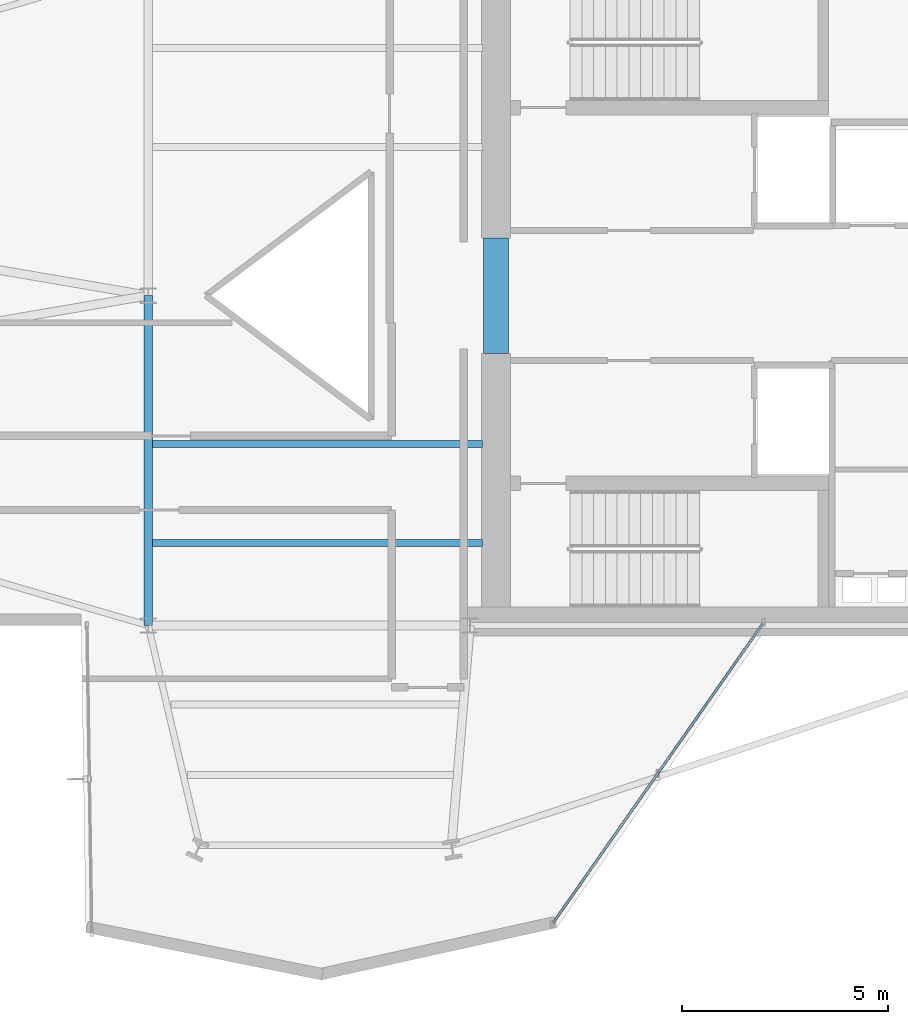
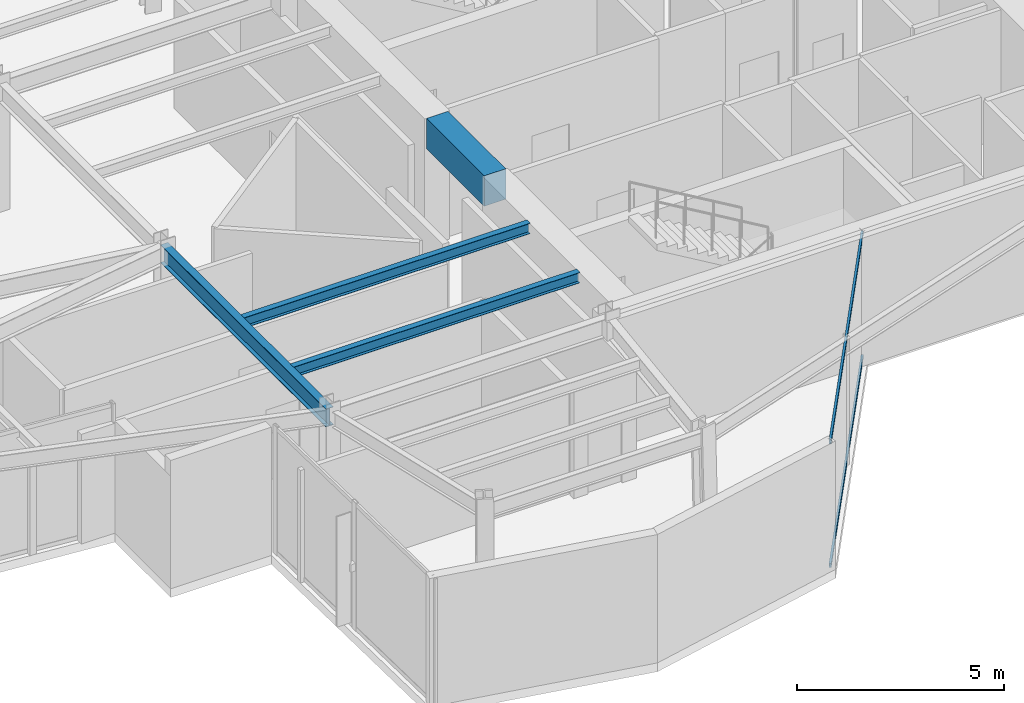
# One storey, part 8 of 23: 4 beams, 2 members, 1 element without a shape of its own.
"""IFC4 building model written with IfcOpenShell, lengths in metres."""

from ifc_helpers import new_model, si_unit, direction, frame, origin, origin_2d, place, context, subcontext, project, spatial, rectangle, hollow_rectangle, i_section, extrude, material, layer, layer_set, material_profile, profile_set, type_object, element, aggregate, save


model = new_model("IFC4")

# Units and contexts
model_context = context("Model", 3, precision=1e-05, world=origin(), true_north=direction((0.0, 1.0)))
body_context = subcontext(model_context, "Body", "Model", "MODEL_VIEW")
ifc_project = project(units=[si_unit("LENGTHUNIT", "METRE"), si_unit("AREAUNIT", "SQUARE_METRE"), si_unit("VOLUMEUNIT", "CUBIC_METRE"), si_unit("PLANEANGLEUNIT", "RADIAN"), si_unit("MASSUNIT", "GRAM", prefix="KILO")], contexts=[model_context])

# Site, building, storey
site_placement = place(None, origin())
site = spatial("IfcSite", under=ifc_project, at=site_placement, CompositionType="ELEMENT")
building_placement = place(site_placement, origin())
building = spatial("IfcBuilding", under=site, at=building_placement, Name="Veymaron Broadcast Tower", CompositionType="ELEMENT")
storey_placement = place(building_placement, frame((0.0, 0.0, 224.25)))
storey = spatial("IfcBuildingStorey", under=building, at=storey_placement, Name="L52", CompositionType="ELEMENT", Elevation=224.25)

# Beams
ifc_material_1 = material(Name="Concrete C60/75", Category="concrete")
ifc_material_profile_1 = material_profile(ifc_material_1, rectangle(XDim=0.60009765625, YDim=0.89990234375, at=origin_2d()), Name="RC600X900")
ifc_profile_set_1 = profile_set([ifc_material_profile_1], Name="Concrete C60/75")
beam_type_1 = type_object("IfcBeamType", Name="BM-CB2", PredefinedType="LINTEL", material=ifc_profile_set_1)
beam_1_placement = place(storey_placement, frame((39.6298828125, 22.60009765625, 3.340087890625), z_axis=(0.0, 1.0, 0.0), x_axis=(-1.0, 0.0, 0.0)))
element("IfcBeam", 1, at=beam_1_placement, inside=storey, type_object=beam_type_1, Name="L52 Core Wall west coupling beam", PredefinedType="LINTEL", context=body_context, shape_type="SweptSolid", body=[
    extrude(rectangle(XDim=0.60009765625, YDim=0.89990234375, at=origin_2d()), origin(), (0.0, 0.0, 1.0), 2.7998046875),
])
ifc_material_2 = material(Name="Structural steel ASTM A992 Gr 50", Category="steel")
ifc_material_profile_2 = material_profile(ifc_material_2, i_section(OverallWidth=0.2099609375, OverallDepth=0.537109375, WebThickness=0.010986328125, FlangeThickness=0.017333984375, at=origin_2d()), Name="W530X101")
ifc_profile_set_2 = profile_set([ifc_material_profile_2], Name="Structural steel ASTM A992 Gr 50")
beam_type_2 = type_object("IfcBeamType", Name="BM-FG3", PredefinedType="BEAM", material=ifc_profile_set_2)
beam_2_placement = place(storey_placement, frame((31.199951171875, 16.0, 3.521484375), z_axis=(0.0, 1.0, 0.0), x_axis=(-1.0, 0.0, 0.0)))
element("IfcBeam", 2, at=beam_2_placement, inside=storey, type_object=beam_type_2, Name="L52 primary structural floor girder", PredefinedType="BEAM", context=body_context, shape_type="SweptSolid", body=[
    extrude(i_section(OverallWidth=0.2099609375, OverallDepth=0.537109375, WebThickness=0.010986328125, FlangeThickness=0.017333984375, at=origin_2d()), origin(), (0.0, 0.0, 1.0), 8.0),
])
ifc_material_profile_3 = material_profile(ifc_material_2, i_section(OverallWidth=0.1650390625, OverallDepth=0.31005859375, WebThickness=0.005859375, FlangeThickness=0.009765625, at=origin_2d()), Name="W310X39")
ifc_profile_set_3 = profile_set([ifc_material_profile_3], Name="Structural steel ASTM A992 Gr 50")
beam_type_3 = type_object("IfcBeamType", Name="BM-JS3", PredefinedType="JOIST", material=ifc_profile_set_3)
for number, where, z_axis, x_axis, name in (
    (3, (31.300048828125, 18.0, 3.635009765625), (1.0, 0.0, 0.0), (0.0, 1.0, 0.0), "L52 Hub secondary joist 1"),
    (4, (31.300048828125, 20.39990234375, 3.635009765625), (1.0, 0.0, 0.0), (0.0, 1.0, 0.0), "L52 Hub secondary joist 2"),
):
    element("IfcBeam", number, at=place(storey_placement, frame(where, z_axis=z_axis, x_axis=x_axis)), inside=storey, type_object=beam_type_3, Name=name, PredefinedType="JOIST", context=body_context, shape_type="SweptSolid", body=[
        extrude(i_section(OverallWidth=0.1650390625, OverallDepth=0.31005859375, WebThickness=0.005859375, FlangeThickness=0.009765625, at=origin_2d()), origin(), (0.0, 0.0, 1.0), 8.0),
    ])

# Curtain wall, members
ifc_material_3 = material(Name="Anodised aluminium AA 6063-T6 and laminated low-E dark glass", Category="aluminium")
ifc_layer = layer(ifc_material_3, 0.179931640625)
ifc_layer_set = layer_set([ifc_layer], Name="Anodised aluminium AA 6063-T6 and laminated low-E dark glass")
curtain_wall_type = type_object("IfcCurtainWallType", Name="CW-SYS-05", PredefinedType="NOTDEFINED", material=ifc_layer_set)
curtain_wall_placement = place(storey_placement, origin())
curtain_wall = element("IfcCurtainWall", 5, at=curtain_wall_placement, inside=storey, type_object=curtain_wall_type, Name="L52 dark-glass curtain wall CW-L52-E20-1", PredefinedType="NOTDEFINED")
ifc_material_4 = material(Name="Anodised aluminium AA 6063-T6", Category="aluminium")
ifc_material_profile_4 = material_profile(ifc_material_4, hollow_rectangle(XDim=0.06005859375, YDim=0.1201171875, WallThickness=0.00390625, at=origin_2d()), Name="AL120X60X4")
ifc_profile_set_4 = profile_set([ifc_material_profile_4], Name="Anodised aluminium AA 6063-T6")
member_type = type_object("IfcMemberType", Name="CW-TRN-02", PredefinedType="USERDEFINED", material=ifc_profile_set_4)
member_1_placement = place(storey_placement, frame((41.016357421875, 8.791259765625, 0.070068359375), z_axis=(0.573913969327, 0.81891559749, 0.0), x_axis=(-0.81891559749, 0.573913969327, 0.0)))
member_1 = element("IfcMember", 6, at=member_1_placement, type_object=member_type, Name="CW-L52-E20-1 transom B", ObjectType="TRANSOM", PredefinedType="USERDEFINED", context=body_context, shape_type="SweptSolid", body=[
    extrude(hollow_rectangle(XDim=0.06005859375, YDim=0.1201171875, WallThickness=0.00390625, at=origin_2d()), origin(), (0.0, 0.0, 1.0), 8.850830078125),
])
member_2_placement = place(storey_placement, frame((41.016357421875, 8.791259765625, 3.719970703125), z_axis=(0.573913969327, 0.81891559749, 0.0), x_axis=(-0.81891559749, 0.573913969327, 0.0)))
member_2 = element("IfcMember", 7, at=member_2_placement, type_object=member_type, Name="CW-L52-E20-1 transom T", ObjectType="TRANSOM", PredefinedType="USERDEFINED", context=body_context, shape_type="SweptSolid", body=[
    extrude(hollow_rectangle(XDim=0.06005859375, YDim=0.1201171875, WallThickness=0.00390625, at=origin_2d()), origin(), (0.0, 0.0, 1.0), 8.850830078125),
])
aggregate(curtain_wall, [member_1, member_2])

save(model, "model.ifc")
